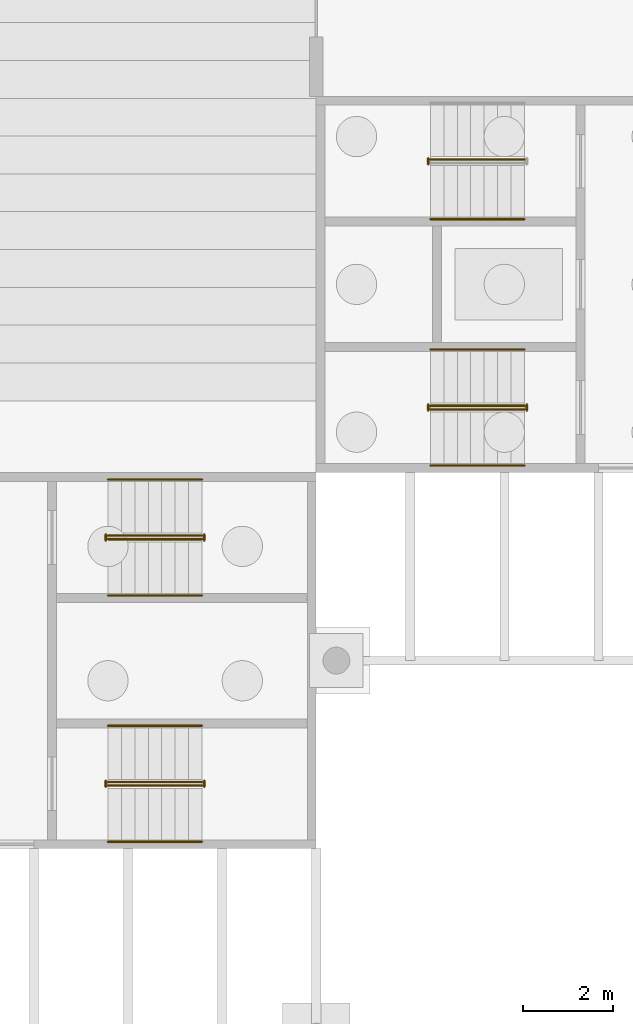
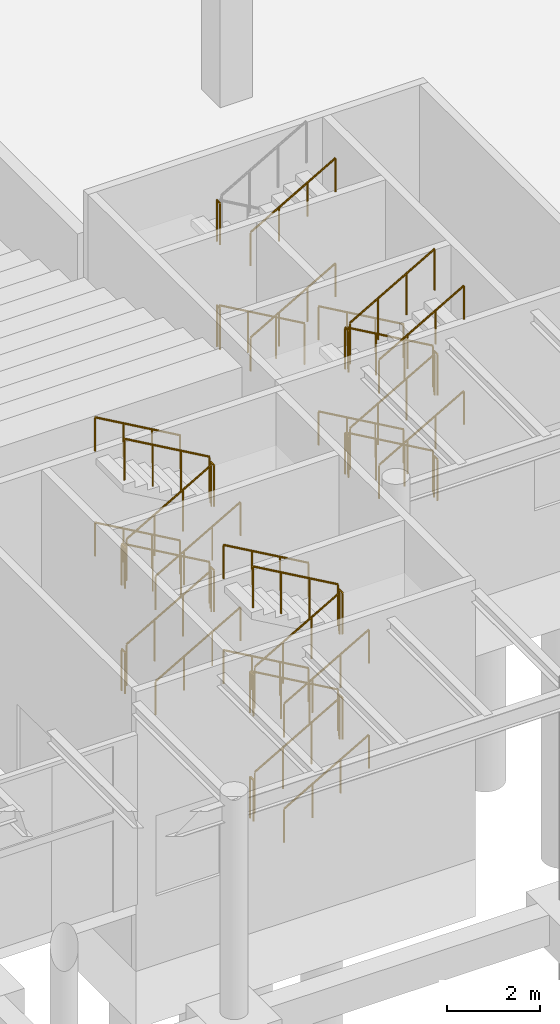
# One storey, part 64 of 82: 41 railings.
"""IFC4 building model written with IfcOpenShell, lengths in metres."""

from ifc_helpers import new_model, si_unit, direction, frame, origin, origin_2d, place, context, subcontext, project, spatial, circle, extrude, material, type_object, element, save


model = new_model("IFC4")

# Units and contexts
model_context = context("Model", 3, precision=1e-05, world=origin(), true_north=direction((0.0, 1.0)))
body_context = subcontext(model_context, "Body", "Model", "MODEL_VIEW")
ifc_project = project(units=[si_unit("LENGTHUNIT", "METRE"), si_unit("AREAUNIT", "SQUARE_METRE"), si_unit("VOLUMEUNIT", "CUBIC_METRE"), si_unit("PLANEANGLEUNIT", "RADIAN"), si_unit("MASSUNIT", "GRAM", prefix="KILO")], contexts=[model_context])

# Site, building, storey
site_placement = place(None, origin())
site = spatial("IfcSite", under=ifc_project, at=site_placement, CompositionType="ELEMENT")
building_placement = place(site_placement, origin())
building = spatial("IfcBuilding", under=site, at=building_placement, Name="Almond Square Museum", CompositionType="ELEMENT")
storey_placement = place(building_placement, origin())
storey = spatial("IfcBuildingStorey", under=building, at=storey_placement, Name="L00", CompositionType="ELEMENT", Elevation=0.0)

# Railings
ifc_material_1 = material(Name="Stainless steel and laminated glass", Category="steel")
railing_type_1 = type_object("IfcRailingType", Name="Stair guard 1100 steel and glass", PredefinedType="GUARDRAIL", material=ifc_material_1)
railing_1_placement = place(storey_placement, frame((34.949951171875, 77.010009765625, 0.171875)))
element("IfcRailing", 1, at=railing_1_placement, inside=storey, type_object=railing_type_1, Name="L00 ST-15 stair guard 1", PredefinedType="GUARDRAIL", context=body_context, shape_type="SweptSolid", body=[
    extrude(circle(Radius=0.02392578125, at=origin_2d()), frame((0.0, 0.0, 1.076171875), z_axis=(0.867696358075, 0.0, 0.497094588769), x_axis=(0.0, 1.0, 0.0)), (0.0, 0.0, 1.0), 2.42041015625),
    extrude(circle(Radius=0.02099609375, at=origin_2d()), origin(), (0.0, 0.0, 1.0), 1.052001953125),
    extrude(circle(Radius=0.02099609375, at=origin_2d()), frame((0.699951171875, 0.0, 0.401123046875)), (0.0, 0.0, 1.0), 1.052001953125),
    extrude(circle(Radius=0.02099609375, at=origin_2d()), frame((1.400146484375, 0.0, 0.802001953125)), (0.0, 0.0, 1.0), 1.052001953125),
    extrude(circle(Radius=0.02099609375, at=origin_2d()), frame((2.10009765625, 0.0, 1.203125)), (0.0, 0.0, 1.0), 1.052001953125),
])
railing_2_placement = place(storey_placement, frame((37.10009765625, 76.97998046875, 1.375)))
element("IfcRailing", 2, at=railing_2_placement, inside=storey, type_object=railing_type_1, Name="L00 ST-15 stair guard 2", PredefinedType="GUARDRAIL", context=body_context, shape_type="SweptSolid", body=[
    extrude(circle(Radius=0.02392578125, at=origin_2d()), frame((0.0, 0.0, 1.076171875), z_axis=(0.0, 1.0, 0.0), x_axis=(-1.0, 0.0, 0.0)), (0.0, 0.0, 1.0), 0.14013671875),
    extrude(circle(Radius=0.02099609375, at=origin_2d()), origin(), (0.0, 0.0, 1.0), 1.052001953125),
    extrude(circle(Radius=0.02099609375, at=origin_2d()), frame((0.0, 0.14013671875, 0.0)), (0.0, 0.0, 1.0), 1.052001953125),
])
railing_3_placement = place(storey_placement, frame((37.050048828125, 77.090087890625, 1.546875)))
element("IfcRailing", 3, at=railing_3_placement, inside=storey, type_object=railing_type_1, Name="L00 ST-15 stair guard 3", PredefinedType="GUARDRAIL", context=body_context, shape_type="SweptSolid", body=[
    extrude(circle(Radius=0.02392578125, at=origin_2d()), frame((0.0, 0.0, 1.076171875), z_axis=(-0.867696358075, 0.0, 0.497094588769), x_axis=(0.0, -1.0, 0.0)), (0.0, 0.0, 1.0), 2.42041015625),
    extrude(circle(Radius=0.02099609375, at=origin_2d()), origin(), (0.0, 0.0, 1.0), 1.052001953125),
    extrude(circle(Radius=0.02099609375, at=origin_2d()), frame((-0.699951171875, 0.0, 0.401123046875)), (0.0, 0.0, 1.0), 1.052001953125),
    extrude(circle(Radius=0.02099609375, at=origin_2d()), frame((-1.400146484375, 0.0, 0.802001953125)), (0.0, 0.0, 1.0), 1.052001953125),
    extrude(circle(Radius=0.02099609375, at=origin_2d()), frame((-2.10009765625, 0.0, 1.203125)), (0.0, 0.0, 1.0), 1.052001953125),
])
railing_4_placement = place(storey_placement, frame((34.89990234375, 76.97998046875, 2.75)))
element("IfcRailing", 4, at=railing_4_placement, inside=storey, type_object=railing_type_1, Name="L00 ST-15 stair guard 4", PredefinedType="GUARDRAIL", context=body_context, shape_type="SweptSolid", body=[
    extrude(circle(Radius=0.02392578125, at=origin_2d()), frame((0.0, 0.0, 1.076171875), z_axis=(0.0, 1.0, 0.0), x_axis=(-1.0, 0.0, 0.0)), (0.0, 0.0, 1.0), 0.14013671875),
    extrude(circle(Radius=0.02099609375, at=origin_2d()), origin(), (0.0, 0.0, 1.0), 1.052001953125),
    extrude(circle(Radius=0.02099609375, at=origin_2d()), frame((0.0, 0.14013671875, 0.0)), (0.0, 0.0, 1.0), 1.052001953125),
])
railing_5_placement = place(storey_placement, frame((34.949951171875, 77.010009765625, 2.921875)))
element("IfcRailing", 5, at=railing_5_placement, inside=storey, type_object=railing_type_1, Name="L00 ST-15 stair guard 5", PredefinedType="GUARDRAIL", context=body_context, shape_type="SweptSolid", body=[
    extrude(circle(Radius=0.02392578125, at=origin_2d()), frame((0.0, 0.0, 1.076171875), z_axis=(0.867696358075, 0.0, 0.497094588769), x_axis=(0.0, 1.0, 0.0)), (0.0, 0.0, 1.0), 2.42041015625),
    extrude(circle(Radius=0.02099609375, at=origin_2d()), origin(), (0.0, 0.0, 1.0), 1.052001953125),
    extrude(circle(Radius=0.02099609375, at=origin_2d()), frame((0.699951171875, 0.0, 0.401123046875)), (0.0, 0.0, 1.0), 1.052001953125),
    extrude(circle(Radius=0.02099609375, at=origin_2d()), frame((1.400146484375, 0.0, 0.802001953125)), (0.0, 0.0, 1.0), 1.052001953125),
    extrude(circle(Radius=0.02099609375, at=origin_2d()), frame((2.10009765625, 0.0, 1.203125)), (0.0, 0.0, 1.0), 1.052001953125),
])
railing_6_placement = place(storey_placement, frame((37.10009765625, 76.97998046875, 4.125)))
element("IfcRailing", 6, at=railing_6_placement, inside=storey, type_object=railing_type_1, Name="L00 ST-15 stair guard 6", PredefinedType="GUARDRAIL", context=body_context, shape_type="SweptSolid", body=[
    extrude(circle(Radius=0.02392578125, at=origin_2d()), frame((0.0, 0.0, 1.076171875), z_axis=(0.0, 1.0, 0.0), x_axis=(-1.0, 0.0, 0.0)), (0.0, 0.0, 1.0), 0.14013671875),
    extrude(circle(Radius=0.02099609375, at=origin_2d()), origin(), (0.0, 0.0, 1.0), 1.052001953125),
    extrude(circle(Radius=0.02099609375, at=origin_2d()), frame((0.0, 0.14013671875, 0.0)), (0.0, 0.0, 1.0), 1.052001953125),
])
railing_7_placement = place(storey_placement, frame((37.050048828125, 77.090087890625, 4.296875)))
element("IfcRailing", 7, at=railing_7_placement, inside=storey, type_object=railing_type_1, Name="L00 ST-15 stair guard 7", PredefinedType="GUARDRAIL", context=body_context, shape_type="SweptSolid", body=[
    extrude(circle(Radius=0.02392578125, at=origin_2d()), frame((0.0, 0.0, 1.076171875), z_axis=(-0.867696358075, 0.0, 0.497094588769), x_axis=(0.0, -1.0, 0.0)), (0.0, 0.0, 1.0), 2.42041015625),
    extrude(circle(Radius=0.02099609375, at=origin_2d()), origin(), (0.0, 0.0, 1.0), 1.052001953125),
    extrude(circle(Radius=0.02099609375, at=origin_2d()), frame((-0.699951171875, 0.0, 0.401123046875)), (0.0, 0.0, 1.0), 1.052001953125),
    extrude(circle(Radius=0.02099609375, at=origin_2d()), frame((-1.400146484375, 0.0, 0.802001953125)), (0.0, 0.0, 1.0), 1.052001953125),
    extrude(circle(Radius=0.02099609375, at=origin_2d()), frame((-2.10009765625, 0.0, 1.203125)), (0.0, 0.0, 1.0), 1.052001953125),
])
railing_8_placement = place(storey_placement, frame((34.89990234375, 76.97998046875, 0.0)))
element("IfcRailing", 8, at=railing_8_placement, inside=storey, type_object=railing_type_1, Name="L00 ST-15 stair guard 8", PredefinedType="GUARDRAIL", context=body_context, shape_type="SweptSolid", body=[
    extrude(circle(Radius=0.02392578125, at=origin_2d()), frame((0.0, 0.0, 1.076171875), z_axis=(0.0, 1.0, 0.0), x_axis=(-1.0, 0.0, 0.0)), (0.0, 0.0, 1.0), 0.14013671875),
    extrude(circle(Radius=0.02099609375, at=origin_2d()), origin(), (0.0, 0.0, 1.0), 1.052001953125),
    extrude(circle(Radius=0.02099609375, at=origin_2d()), frame((0.0, 0.14013671875, 0.0)), (0.0, 0.0, 1.0), 1.052001953125),
])
railing_9_placement = place(storey_placement, frame((34.949951171875, 82.510009765625, 0.171875)))
element("IfcRailing", 9, at=railing_9_placement, inside=storey, type_object=railing_type_1, Name="L00 ST-16 stair guard 1", PredefinedType="GUARDRAIL", context=body_context, shape_type="SweptSolid", body=[
    extrude(circle(Radius=0.02392578125, at=origin_2d()), frame((0.0, 0.0, 1.076171875), z_axis=(0.867696358075, 0.0, 0.497094588769), x_axis=(0.0, 1.0, 0.0)), (0.0, 0.0, 1.0), 2.42041015625),
    extrude(circle(Radius=0.02099609375, at=origin_2d()), origin(), (0.0, 0.0, 1.0), 1.052001953125),
    extrude(circle(Radius=0.02099609375, at=origin_2d()), frame((0.699951171875, 0.0, 0.401123046875)), (0.0, 0.0, 1.0), 1.052001953125),
    extrude(circle(Radius=0.02099609375, at=origin_2d()), frame((1.400146484375, 0.0, 0.802001953125)), (0.0, 0.0, 1.0), 1.052001953125),
    extrude(circle(Radius=0.02099609375, at=origin_2d()), frame((2.10009765625, 0.0, 1.203125)), (0.0, 0.0, 1.0), 1.052001953125),
])
railing_10_placement = place(storey_placement, frame((37.10009765625, 82.47998046875, 1.375)))
element("IfcRailing", 10, at=railing_10_placement, inside=storey, type_object=railing_type_1, Name="L00 ST-16 stair guard 2", PredefinedType="GUARDRAIL", context=body_context, shape_type="SweptSolid", body=[
    extrude(circle(Radius=0.02392578125, at=origin_2d()), frame((0.0, 0.0, 1.076171875), z_axis=(0.0, 1.0, 0.0), x_axis=(-1.0, 0.0, 0.0)), (0.0, 0.0, 1.0), 0.14013671875),
    extrude(circle(Radius=0.02099609375, at=origin_2d()), origin(), (0.0, 0.0, 1.0), 1.052001953125),
    extrude(circle(Radius=0.02099609375, at=origin_2d()), frame((0.0, 0.14013671875, 0.0)), (0.0, 0.0, 1.0), 1.052001953125),
])
railing_11_placement = place(storey_placement, frame((37.050048828125, 82.590087890625, 1.546875)))
element("IfcRailing", 11, at=railing_11_placement, inside=storey, type_object=railing_type_1, Name="L00 ST-16 stair guard 3", PredefinedType="GUARDRAIL", context=body_context, shape_type="SweptSolid", body=[
    extrude(circle(Radius=0.02392578125, at=origin_2d()), frame((0.0, 0.0, 1.076171875), z_axis=(-0.867696358075, 0.0, 0.497094588769), x_axis=(0.0, -1.0, 0.0)), (0.0, 0.0, 1.0), 2.42041015625),
    extrude(circle(Radius=0.02099609375, at=origin_2d()), origin(), (0.0, 0.0, 1.0), 1.052001953125),
    extrude(circle(Radius=0.02099609375, at=origin_2d()), frame((-0.699951171875, 0.0, 0.401123046875)), (0.0, 0.0, 1.0), 1.052001953125),
    extrude(circle(Radius=0.02099609375, at=origin_2d()), frame((-1.400146484375, 0.0, 0.802001953125)), (0.0, 0.0, 1.0), 1.052001953125),
    extrude(circle(Radius=0.02099609375, at=origin_2d()), frame((-2.10009765625, 0.0, 1.203125)), (0.0, 0.0, 1.0), 1.052001953125),
])
railing_12_placement = place(storey_placement, frame((34.89990234375, 82.47998046875, 2.75)))
element("IfcRailing", 12, at=railing_12_placement, inside=storey, type_object=railing_type_1, Name="L00 ST-16 stair guard 4", PredefinedType="GUARDRAIL", context=body_context, shape_type="SweptSolid", body=[
    extrude(circle(Radius=0.02392578125, at=origin_2d()), frame((0.0, 0.0, 1.076171875), z_axis=(0.0, 1.0, 0.0), x_axis=(-1.0, 0.0, 0.0)), (0.0, 0.0, 1.0), 0.14013671875),
    extrude(circle(Radius=0.02099609375, at=origin_2d()), origin(), (0.0, 0.0, 1.0), 1.052001953125),
    extrude(circle(Radius=0.02099609375, at=origin_2d()), frame((0.0, 0.14013671875, 0.0)), (0.0, 0.0, 1.0), 1.052001953125),
])
railing_13_placement = place(storey_placement, frame((34.949951171875, 82.510009765625, 2.921875)))
element("IfcRailing", 13, at=railing_13_placement, inside=storey, type_object=railing_type_1, Name="L00 ST-16 stair guard 5", PredefinedType="GUARDRAIL", context=body_context, shape_type="SweptSolid", body=[
    extrude(circle(Radius=0.02392578125, at=origin_2d()), frame((0.0, 0.0, 1.076171875), z_axis=(0.867696358075, 0.0, 0.497094588769), x_axis=(0.0, 1.0, 0.0)), (0.0, 0.0, 1.0), 2.42041015625),
    extrude(circle(Radius=0.02099609375, at=origin_2d()), origin(), (0.0, 0.0, 1.0), 1.052001953125),
    extrude(circle(Radius=0.02099609375, at=origin_2d()), frame((0.699951171875, 0.0, 0.401123046875)), (0.0, 0.0, 1.0), 1.052001953125),
    extrude(circle(Radius=0.02099609375, at=origin_2d()), frame((1.400146484375, 0.0, 0.802001953125)), (0.0, 0.0, 1.0), 1.052001953125),
    extrude(circle(Radius=0.02099609375, at=origin_2d()), frame((2.10009765625, 0.0, 1.203125)), (0.0, 0.0, 1.0), 1.052001953125),
])
railing_14_placement = place(storey_placement, frame((37.10009765625, 82.47998046875, 4.125)))
element("IfcRailing", 14, at=railing_14_placement, inside=storey, type_object=railing_type_1, Name="L00 ST-16 stair guard 6", PredefinedType="GUARDRAIL", context=body_context, shape_type="SweptSolid", body=[
    extrude(circle(Radius=0.02392578125, at=origin_2d()), frame((0.0, 0.0, 1.076171875), z_axis=(0.0, 1.0, 0.0), x_axis=(-1.0, 0.0, 0.0)), (0.0, 0.0, 1.0), 0.14013671875),
    extrude(circle(Radius=0.02099609375, at=origin_2d()), origin(), (0.0, 0.0, 1.0), 1.052001953125),
    extrude(circle(Radius=0.02099609375, at=origin_2d()), frame((0.0, 0.14013671875, 0.0)), (0.0, 0.0, 1.0), 1.052001953125),
])
railing_15_placement = place(storey_placement, frame((37.050048828125, 82.590087890625, 4.296875)))
element("IfcRailing", 15, at=railing_15_placement, inside=storey, type_object=railing_type_1, Name="L00 ST-16 stair guard 7", PredefinedType="GUARDRAIL", context=body_context, shape_type="SweptSolid", body=[
    extrude(circle(Radius=0.02392578125, at=origin_2d()), frame((0.0, 0.0, 1.076171875), z_axis=(-0.867696358075, 0.0, 0.497094588769), x_axis=(0.0, -1.0, 0.0)), (0.0, 0.0, 1.0), 2.42041015625),
    extrude(circle(Radius=0.02099609375, at=origin_2d()), origin(), (0.0, 0.0, 1.0), 1.052001953125),
    extrude(circle(Radius=0.02099609375, at=origin_2d()), frame((-0.699951171875, 0.0, 0.401123046875)), (0.0, 0.0, 1.0), 1.052001953125),
    extrude(circle(Radius=0.02099609375, at=origin_2d()), frame((-1.400146484375, 0.0, 0.802001953125)), (0.0, 0.0, 1.0), 1.052001953125),
    extrude(circle(Radius=0.02099609375, at=origin_2d()), frame((-2.10009765625, 0.0, 1.203125)), (0.0, 0.0, 1.0), 1.052001953125),
])
railing_16_placement = place(storey_placement, frame((34.89990234375, 82.47998046875, 0.0)))
element("IfcRailing", 16, at=railing_16_placement, inside=storey, type_object=railing_type_1, Name="L00 ST-16 stair guard 8", PredefinedType="GUARDRAIL", context=body_context, shape_type="SweptSolid", body=[
    extrude(circle(Radius=0.02392578125, at=origin_2d()), frame((0.0, 0.0, 1.076171875), z_axis=(0.0, 1.0, 0.0), x_axis=(-1.0, 0.0, 0.0)), (0.0, 0.0, 1.0), 0.14013671875),
    extrude(circle(Radius=0.02099609375, at=origin_2d()), origin(), (0.0, 0.0, 1.0), 1.052001953125),
    extrude(circle(Radius=0.02099609375, at=origin_2d()), frame((0.0, 0.14013671875, 0.0)), (0.0, 0.0, 1.0), 1.052001953125),
])
railing_17_placement = place(storey_placement, frame((44.25, 85.489990234375, 0.171875)))
element("IfcRailing", 17, at=railing_17_placement, inside=storey, type_object=railing_type_1, Name="L00 ST-17 stair guard 1", PredefinedType="GUARDRAIL", context=body_context, shape_type="SweptSolid", body=[
    extrude(circle(Radius=0.02392578125, at=origin_2d()), frame((0.0, 0.0, 1.076171875), z_axis=(-0.867696358075, 0.0, 0.497094588769), x_axis=(0.0, -1.0, 0.0)), (0.0, 0.0, 1.0), 2.42041015625),
    extrude(circle(Radius=0.02099609375, at=origin_2d()), origin(), (0.0, 0.0, 1.0), 1.052001953125),
    extrude(circle(Radius=0.02099609375, at=origin_2d()), frame((-0.699951171875, 0.0, 0.401123046875)), (0.0, 0.0, 1.0), 1.052001953125),
    extrude(circle(Radius=0.02099609375, at=origin_2d()), frame((-1.400146484375, 0.0, 0.802001953125)), (0.0, 0.0, 1.0), 1.052001953125),
    extrude(circle(Radius=0.02099609375, at=origin_2d()), frame((-2.10009765625, 0.0, 1.203125)), (0.0, 0.0, 1.0), 1.052001953125),
])
railing_18_placement = place(storey_placement, frame((42.10009765625, 85.52001953125, 1.375)))
element("IfcRailing", 18, at=railing_18_placement, inside=storey, type_object=railing_type_1, Name="L00 ST-17 stair guard 2", PredefinedType="GUARDRAIL", context=body_context, shape_type="SweptSolid", body=[
    extrude(circle(Radius=0.02392578125, at=origin_2d()), frame((0.0, 0.0, 1.076171875), z_axis=(0.0, -1.0, 0.0), x_axis=(1.0, 0.0, 0.0)), (0.0, 0.0, 1.0), 0.14013671875),
    extrude(circle(Radius=0.02099609375, at=origin_2d()), origin(), (0.0, 0.0, 1.0), 1.052001953125),
    extrude(circle(Radius=0.02099609375, at=origin_2d()), frame((0.0, -0.14013671875, 0.0)), (0.0, 0.0, 1.0), 1.052001953125),
])
railing_19_placement = place(storey_placement, frame((42.14990234375, 85.409912109375, 1.546875)))
element("IfcRailing", 19, at=railing_19_placement, inside=storey, type_object=railing_type_1, Name="L00 ST-17 stair guard 3", PredefinedType="GUARDRAIL", context=body_context, shape_type="SweptSolid", body=[
    extrude(circle(Radius=0.02392578125, at=origin_2d()), frame((0.0, 0.0, 1.076171875), z_axis=(0.867696358075, 0.0, 0.497094588769), x_axis=(0.0, 1.0, 0.0)), (0.0, 0.0, 1.0), 2.42041015625),
    extrude(circle(Radius=0.02099609375, at=origin_2d()), origin(), (0.0, 0.0, 1.0), 1.052001953125),
    extrude(circle(Radius=0.02099609375, at=origin_2d()), frame((0.699951171875, 0.0, 0.401123046875)), (0.0, 0.0, 1.0), 1.052001953125),
    extrude(circle(Radius=0.02099609375, at=origin_2d()), frame((1.400146484375, 0.0, 0.802001953125)), (0.0, 0.0, 1.0), 1.052001953125),
    extrude(circle(Radius=0.02099609375, at=origin_2d()), frame((2.10009765625, 0.0, 1.203125)), (0.0, 0.0, 1.0), 1.052001953125),
])
railing_20_placement = place(storey_placement, frame((44.300048828125, 85.52001953125, 2.75)))
element("IfcRailing", 20, at=railing_20_placement, inside=storey, type_object=railing_type_1, Name="L00 ST-17 stair guard 4", PredefinedType="GUARDRAIL", context=body_context, shape_type="SweptSolid", body=[
    extrude(circle(Radius=0.02392578125, at=origin_2d()), frame((0.0, 0.0, 1.076171875), z_axis=(0.0, -1.0, 0.0), x_axis=(1.0, 0.0, 0.0)), (0.0, 0.0, 1.0), 0.14013671875),
    extrude(circle(Radius=0.02099609375, at=origin_2d()), origin(), (0.0, 0.0, 1.0), 1.052001953125),
    extrude(circle(Radius=0.02099609375, at=origin_2d()), frame((0.0, -0.14013671875, 0.0)), (0.0, 0.0, 1.0), 1.052001953125),
])
railing_21_placement = place(storey_placement, frame((44.25, 85.489990234375, 2.921875)))
element("IfcRailing", 21, at=railing_21_placement, inside=storey, type_object=railing_type_1, Name="L00 ST-17 stair guard 5", PredefinedType="GUARDRAIL", context=body_context, shape_type="SweptSolid", body=[
    extrude(circle(Radius=0.02392578125, at=origin_2d()), frame((0.0, 0.0, 1.076171875), z_axis=(-0.867696358075, 0.0, 0.497094588769), x_axis=(0.0, -1.0, 0.0)), (0.0, 0.0, 1.0), 2.42041015625),
    extrude(circle(Radius=0.02099609375, at=origin_2d()), origin(), (0.0, 0.0, 1.0), 1.052001953125),
    extrude(circle(Radius=0.02099609375, at=origin_2d()), frame((-0.699951171875, 0.0, 0.401123046875)), (0.0, 0.0, 1.0), 1.052001953125),
    extrude(circle(Radius=0.02099609375, at=origin_2d()), frame((-1.400146484375, 0.0, 0.802001953125)), (0.0, 0.0, 1.0), 1.052001953125),
    extrude(circle(Radius=0.02099609375, at=origin_2d()), frame((-2.10009765625, 0.0, 1.203125)), (0.0, 0.0, 1.0), 1.052001953125),
])
railing_22_placement = place(storey_placement, frame((42.10009765625, 85.52001953125, 4.125)))
element("IfcRailing", 22, at=railing_22_placement, inside=storey, type_object=railing_type_1, Name="L00 ST-17 stair guard 6", PredefinedType="GUARDRAIL", context=body_context, shape_type="SweptSolid", body=[
    extrude(circle(Radius=0.02392578125, at=origin_2d()), frame((0.0, 0.0, 1.076171875), z_axis=(0.0, -1.0, 0.0), x_axis=(1.0, 0.0, 0.0)), (0.0, 0.0, 1.0), 0.14013671875),
    extrude(circle(Radius=0.02099609375, at=origin_2d()), origin(), (0.0, 0.0, 1.0), 1.052001953125),
    extrude(circle(Radius=0.02099609375, at=origin_2d()), frame((0.0, -0.14013671875, 0.0)), (0.0, 0.0, 1.0), 1.052001953125),
])
railing_23_placement = place(storey_placement, frame((42.14990234375, 85.409912109375, 4.296875)))
element("IfcRailing", 23, at=railing_23_placement, inside=storey, type_object=railing_type_1, Name="L00 ST-17 stair guard 7", PredefinedType="GUARDRAIL", context=body_context, shape_type="SweptSolid", body=[
    extrude(circle(Radius=0.02392578125, at=origin_2d()), frame((0.0, 0.0, 1.076171875), z_axis=(0.867696358075, 0.0, 0.497094588769), x_axis=(0.0, 1.0, 0.0)), (0.0, 0.0, 1.0), 2.42041015625),
    extrude(circle(Radius=0.02099609375, at=origin_2d()), origin(), (0.0, 0.0, 1.0), 1.052001953125),
    extrude(circle(Radius=0.02099609375, at=origin_2d()), frame((0.699951171875, 0.0, 0.401123046875)), (0.0, 0.0, 1.0), 1.052001953125),
    extrude(circle(Radius=0.02099609375, at=origin_2d()), frame((1.400146484375, 0.0, 0.802001953125)), (0.0, 0.0, 1.0), 1.052001953125),
    extrude(circle(Radius=0.02099609375, at=origin_2d()), frame((2.10009765625, 0.0, 1.203125)), (0.0, 0.0, 1.0), 1.052001953125),
])
railing_24_placement = place(storey_placement, frame((44.300048828125, 85.52001953125, 0.0)))
element("IfcRailing", 24, at=railing_24_placement, inside=storey, type_object=railing_type_1, Name="L00 ST-17 stair guard 8", PredefinedType="GUARDRAIL", context=body_context, shape_type="SweptSolid", body=[
    extrude(circle(Radius=0.02392578125, at=origin_2d()), frame((0.0, 0.0, 1.076171875), z_axis=(0.0, -1.0, 0.0), x_axis=(1.0, 0.0, 0.0)), (0.0, 0.0, 1.0), 0.14013671875),
    extrude(circle(Radius=0.02099609375, at=origin_2d()), origin(), (0.0, 0.0, 1.0), 1.052001953125),
    extrude(circle(Radius=0.02099609375, at=origin_2d()), frame((0.0, -0.14013671875, 0.0)), (0.0, 0.0, 1.0), 1.052001953125),
])
railing_25_placement = place(storey_placement, frame((44.25, 90.989990234375, 0.171875)))
element("IfcRailing", 25, at=railing_25_placement, inside=storey, type_object=railing_type_1, Name="L00 ST-18 stair guard 1", PredefinedType="GUARDRAIL", context=body_context, shape_type="SweptSolid", body=[
    extrude(circle(Radius=0.02392578125, at=origin_2d()), frame((0.0, 0.0, 1.076171875), z_axis=(-0.867696358075, 0.0, 0.497094588769), x_axis=(0.0, -1.0, 0.0)), (0.0, 0.0, 1.0), 2.42041015625),
    extrude(circle(Radius=0.02099609375, at=origin_2d()), origin(), (0.0, 0.0, 1.0), 1.052001953125),
    extrude(circle(Radius=0.02099609375, at=origin_2d()), frame((-0.699951171875, 0.0, 0.401123046875)), (0.0, 0.0, 1.0), 1.052001953125),
    extrude(circle(Radius=0.02099609375, at=origin_2d()), frame((-1.400146484375, 0.0, 0.802001953125)), (0.0, 0.0, 1.0), 1.052001953125),
    extrude(circle(Radius=0.02099609375, at=origin_2d()), frame((-2.10009765625, 0.0, 1.203125)), (0.0, 0.0, 1.0), 1.052001953125),
])
for number, where, name in (
    (26, (42.10009765625, 91.02001953125, 1.375), "L00 ST-18 stair guard 2"),
    (27, (42.10009765625, 91.02001953125, 4.125), "L00 ST-18 stair guard 6"),
):
    element("IfcRailing", number, at=place(storey_placement, frame(where)), inside=storey, type_object=railing_type_1, Name=name, PredefinedType="GUARDRAIL", context=body_context, shape_type="SweptSolid", body=[
        extrude(circle(Radius=0.02392578125, at=origin_2d()), frame((0.0, 0.0, 1.076171875), z_axis=(0.0, -1.0, 0.0), x_axis=(1.0, 0.0, 0.0)), (0.0, 0.0, 1.0), 0.14013671875),
        extrude(circle(Radius=0.02099609375, at=origin_2d()), origin(), (0.0, 0.0, 1.0), 1.052001953125),
        extrude(circle(Radius=0.02099609375, at=origin_2d()), frame((0.0, -0.14013671875, 0.0)), (0.0, 0.0, 1.0), 1.052001953125),
    ])
ifc_material_2 = material(Name="Stainless steel", Category="steel")
railing_type_2 = type_object("IfcRailingType", Name="Stair handrail 900 steel", PredefinedType="HANDRAIL", material=ifc_material_2)
railing_26_placement = place(storey_placement, frame((34.949951171875, 75.7548828125, 0.171875)))
element("IfcRailing", 28, at=railing_26_placement, inside=storey, type_object=railing_type_2, Name="L00 ST-15 stair handrail 1", PredefinedType="HANDRAIL", context=body_context, shape_type="SweptSolid", body=[
    extrude(circle(Radius=0.02392578125, at=origin_2d()), frame((0.0, 0.0, 0.8759765625), z_axis=(0.867696358075, 0.0, 0.497094588769), x_axis=(0.0, 1.0, 0.0)), (0.0, 0.0, 1.0), 2.42041015625),
    extrude(circle(Radius=0.02099609375, at=origin_2d()), origin(), (0.0, 0.0, 1.0), 0.851806640625),
    extrude(circle(Radius=0.02099609375, at=origin_2d()), frame((0.699951171875, 0.0, 0.401123046875)), (0.0, 0.0, 1.0), 0.851806640625),
    extrude(circle(Radius=0.02099609375, at=origin_2d()), frame((1.400146484375, 0.0, 0.802001953125)), (0.0, 0.0, 1.0), 0.851806640625),
    extrude(circle(Radius=0.02099609375, at=origin_2d()), frame((2.10009765625, 0.0, 1.203125)), (0.0, 0.0, 1.0), 0.851806640625),
])
railing_27_placement = place(storey_placement, frame((37.050048828125, 78.344970703125, 1.546875)))
element("IfcRailing", 29, at=railing_27_placement, inside=storey, type_object=railing_type_2, Name="L00 ST-15 stair handrail 2", PredefinedType="HANDRAIL", context=body_context, shape_type="SweptSolid", body=[
    extrude(circle(Radius=0.02392578125, at=origin_2d()), frame((0.0, 0.0, 0.8759765625), z_axis=(-0.867696358075, 0.0, 0.497094588769), x_axis=(0.0, -1.0, 0.0)), (0.0, 0.0, 1.0), 2.42041015625),
    extrude(circle(Radius=0.02099609375, at=origin_2d()), origin(), (0.0, 0.0, 1.0), 0.851806640625),
    extrude(circle(Radius=0.02099609375, at=origin_2d()), frame((-0.699951171875, 0.0, 0.401123046875)), (0.0, 0.0, 1.0), 0.851806640625),
    extrude(circle(Radius=0.02099609375, at=origin_2d()), frame((-1.400146484375, 0.0, 0.802001953125)), (0.0, 0.0, 1.0), 0.851806640625),
    extrude(circle(Radius=0.02099609375, at=origin_2d()), frame((-2.10009765625, 0.0, 1.203125)), (0.0, 0.0, 1.0), 0.851806640625),
])
railing_28_placement = place(storey_placement, frame((34.949951171875, 75.7548828125, 2.921875)))
element("IfcRailing", 30, at=railing_28_placement, inside=storey, type_object=railing_type_2, Name="L00 ST-15 stair handrail 3", PredefinedType="HANDRAIL", context=body_context, shape_type="SweptSolid", body=[
    extrude(circle(Radius=0.02392578125, at=origin_2d()), frame((0.0, 0.0, 0.8759765625), z_axis=(0.867696358075, 0.0, 0.497094588769), x_axis=(0.0, 1.0, 0.0)), (0.0, 0.0, 1.0), 2.42041015625),
    extrude(circle(Radius=0.02099609375, at=origin_2d()), origin(), (0.0, 0.0, 1.0), 0.851806640625),
    extrude(circle(Radius=0.02099609375, at=origin_2d()), frame((0.699951171875, 0.0, 0.401123046875)), (0.0, 0.0, 1.0), 0.851806640625),
    extrude(circle(Radius=0.02099609375, at=origin_2d()), frame((1.400146484375, 0.0, 0.802001953125)), (0.0, 0.0, 1.0), 0.851806640625),
    extrude(circle(Radius=0.02099609375, at=origin_2d()), frame((2.10009765625, 0.0, 1.203125)), (0.0, 0.0, 1.0), 0.851806640625),
])
railing_29_placement = place(storey_placement, frame((37.050048828125, 78.344970703125, 4.296875)))
element("IfcRailing", 31, at=railing_29_placement, inside=storey, type_object=railing_type_2, Name="L00 ST-15 stair handrail 4", PredefinedType="HANDRAIL", context=body_context, shape_type="SweptSolid", body=[
    extrude(circle(Radius=0.02392578125, at=origin_2d()), frame((0.0, 0.0, 0.8759765625), z_axis=(-0.867696358075, 0.0, 0.497094588769), x_axis=(0.0, -1.0, 0.0)), (0.0, 0.0, 1.0), 2.42041015625),
    extrude(circle(Radius=0.02099609375, at=origin_2d()), origin(), (0.0, 0.0, 1.0), 0.851806640625),
    extrude(circle(Radius=0.02099609375, at=origin_2d()), frame((-0.699951171875, 0.0, 0.401123046875)), (0.0, 0.0, 1.0), 0.851806640625),
    extrude(circle(Radius=0.02099609375, at=origin_2d()), frame((-1.400146484375, 0.0, 0.802001953125)), (0.0, 0.0, 1.0), 0.851806640625),
    extrude(circle(Radius=0.02099609375, at=origin_2d()), frame((-2.10009765625, 0.0, 1.203125)), (0.0, 0.0, 1.0), 0.851806640625),
])
railing_30_placement = place(storey_placement, frame((34.949951171875, 81.2548828125, 0.171875)))
element("IfcRailing", 32, at=railing_30_placement, inside=storey, type_object=railing_type_2, Name="L00 ST-16 stair handrail 1", PredefinedType="HANDRAIL", context=body_context, shape_type="SweptSolid", body=[
    extrude(circle(Radius=0.02392578125, at=origin_2d()), frame((0.0, 0.0, 0.8759765625), z_axis=(0.867696358075, 0.0, 0.497094588769), x_axis=(0.0, 1.0, 0.0)), (0.0, 0.0, 1.0), 2.42041015625),
    extrude(circle(Radius=0.02099609375, at=origin_2d()), origin(), (0.0, 0.0, 1.0), 0.851806640625),
    extrude(circle(Radius=0.02099609375, at=origin_2d()), frame((0.699951171875, 0.0, 0.401123046875)), (0.0, 0.0, 1.0), 0.851806640625),
    extrude(circle(Radius=0.02099609375, at=origin_2d()), frame((1.400146484375, 0.0, 0.802001953125)), (0.0, 0.0, 1.0), 0.851806640625),
    extrude(circle(Radius=0.02099609375, at=origin_2d()), frame((2.10009765625, 0.0, 1.203125)), (0.0, 0.0, 1.0), 0.851806640625),
])
railing_31_placement = place(storey_placement, frame((37.050048828125, 83.844970703125, 1.546875)))
element("IfcRailing", 33, at=railing_31_placement, inside=storey, type_object=railing_type_2, Name="L00 ST-16 stair handrail 2", PredefinedType="HANDRAIL", context=body_context, shape_type="SweptSolid", body=[
    extrude(circle(Radius=0.02392578125, at=origin_2d()), frame((0.0, 0.0, 0.8759765625), z_axis=(-0.867696358075, 0.0, 0.497094588769), x_axis=(0.0, -1.0, 0.0)), (0.0, 0.0, 1.0), 2.42041015625),
    extrude(circle(Radius=0.02099609375, at=origin_2d()), origin(), (0.0, 0.0, 1.0), 0.851806640625),
    extrude(circle(Radius=0.02099609375, at=origin_2d()), frame((-0.699951171875, 0.0, 0.401123046875)), (0.0, 0.0, 1.0), 0.851806640625),
    extrude(circle(Radius=0.02099609375, at=origin_2d()), frame((-1.400146484375, 0.0, 0.802001953125)), (0.0, 0.0, 1.0), 0.851806640625),
    extrude(circle(Radius=0.02099609375, at=origin_2d()), frame((-2.10009765625, 0.0, 1.203125)), (0.0, 0.0, 1.0), 0.851806640625),
])
railing_32_placement = place(storey_placement, frame((34.949951171875, 81.2548828125, 2.921875)))
element("IfcRailing", 34, at=railing_32_placement, inside=storey, type_object=railing_type_2, Name="L00 ST-16 stair handrail 3", PredefinedType="HANDRAIL", context=body_context, shape_type="SweptSolid", body=[
    extrude(circle(Radius=0.02392578125, at=origin_2d()), frame((0.0, 0.0, 0.8759765625), z_axis=(0.867696358075, 0.0, 0.497094588769), x_axis=(0.0, 1.0, 0.0)), (0.0, 0.0, 1.0), 2.42041015625),
    extrude(circle(Radius=0.02099609375, at=origin_2d()), origin(), (0.0, 0.0, 1.0), 0.851806640625),
    extrude(circle(Radius=0.02099609375, at=origin_2d()), frame((0.699951171875, 0.0, 0.401123046875)), (0.0, 0.0, 1.0), 0.851806640625),
    extrude(circle(Radius=0.02099609375, at=origin_2d()), frame((1.400146484375, 0.0, 0.802001953125)), (0.0, 0.0, 1.0), 0.851806640625),
    extrude(circle(Radius=0.02099609375, at=origin_2d()), frame((2.10009765625, 0.0, 1.203125)), (0.0, 0.0, 1.0), 0.851806640625),
])
for number, where, name in (
    (35, (37.050048828125, 83.844970703125, 4.296875), "L00 ST-16 stair handrail 4"),
    (36, (44.25, 86.7451171875, 0.171875), "L00 ST-17 stair handrail 1"),
):
    element("IfcRailing", number, at=place(storey_placement, frame(where)), inside=storey, type_object=railing_type_2, Name=name, PredefinedType="HANDRAIL", context=body_context, shape_type="SweptSolid", body=[
        extrude(circle(Radius=0.02392578125, at=origin_2d()), frame((0.0, 0.0, 0.8759765625), z_axis=(-0.867696358075, 0.0, 0.497094588769), x_axis=(0.0, -1.0, 0.0)), (0.0, 0.0, 1.0), 2.42041015625),
        extrude(circle(Radius=0.02099609375, at=origin_2d()), origin(), (0.0, 0.0, 1.0), 0.851806640625),
        extrude(circle(Radius=0.02099609375, at=origin_2d()), frame((-0.699951171875, 0.0, 0.401123046875)), (0.0, 0.0, 1.0), 0.851806640625),
        extrude(circle(Radius=0.02099609375, at=origin_2d()), frame((-1.400146484375, 0.0, 0.802001953125)), (0.0, 0.0, 1.0), 0.851806640625),
        extrude(circle(Radius=0.02099609375, at=origin_2d()), frame((-2.10009765625, 0.0, 1.203125)), (0.0, 0.0, 1.0), 0.851806640625),
    ])
railing_33_placement = place(storey_placement, frame((42.14990234375, 84.155029296875, 1.546875)))
element("IfcRailing", 37, at=railing_33_placement, inside=storey, type_object=railing_type_2, Name="L00 ST-17 stair handrail 2", PredefinedType="HANDRAIL", context=body_context, shape_type="SweptSolid", body=[
    extrude(circle(Radius=0.02392578125, at=origin_2d()), frame((0.0, 0.0, 0.8759765625), z_axis=(0.867696358075, 0.0, 0.497094588769), x_axis=(0.0, 1.0, 0.0)), (0.0, 0.0, 1.0), 2.42041015625),
    extrude(circle(Radius=0.02099609375, at=origin_2d()), origin(), (0.0, 0.0, 1.0), 0.851806640625),
    extrude(circle(Radius=0.02099609375, at=origin_2d()), frame((0.699951171875, 0.0, 0.401123046875)), (0.0, 0.0, 1.0), 0.851806640625),
    extrude(circle(Radius=0.02099609375, at=origin_2d()), frame((1.400146484375, 0.0, 0.802001953125)), (0.0, 0.0, 1.0), 0.851806640625),
    extrude(circle(Radius=0.02099609375, at=origin_2d()), frame((2.10009765625, 0.0, 1.203125)), (0.0, 0.0, 1.0), 0.851806640625),
])
railing_34_placement = place(storey_placement, frame((44.25, 86.7451171875, 2.921875)))
element("IfcRailing", 38, at=railing_34_placement, inside=storey, type_object=railing_type_2, Name="L00 ST-17 stair handrail 3", PredefinedType="HANDRAIL", context=body_context, shape_type="SweptSolid", body=[
    extrude(circle(Radius=0.02392578125, at=origin_2d()), frame((0.0, 0.0, 0.8759765625), z_axis=(-0.867696358075, 0.0, 0.497094588769), x_axis=(0.0, -1.0, 0.0)), (0.0, 0.0, 1.0), 2.42041015625),
    extrude(circle(Radius=0.02099609375, at=origin_2d()), origin(), (0.0, 0.0, 1.0), 0.851806640625),
    extrude(circle(Radius=0.02099609375, at=origin_2d()), frame((-0.699951171875, 0.0, 0.401123046875)), (0.0, 0.0, 1.0), 0.851806640625),
    extrude(circle(Radius=0.02099609375, at=origin_2d()), frame((-1.400146484375, 0.0, 0.802001953125)), (0.0, 0.0, 1.0), 0.851806640625),
    extrude(circle(Radius=0.02099609375, at=origin_2d()), frame((-2.10009765625, 0.0, 1.203125)), (0.0, 0.0, 1.0), 0.851806640625),
])
for number, where, name in (
    (39, (42.14990234375, 84.155029296875, 4.296875), "L00 ST-17 stair handrail 4"),
    (40, (42.14990234375, 89.655029296875, 1.546875), "L00 ST-18 stair handrail 2"),
    (41, (42.14990234375, 89.655029296875, 4.296875), "L00 ST-18 stair handrail 4"),
):
    element("IfcRailing", number, at=place(storey_placement, frame(where)), inside=storey, type_object=railing_type_2, Name=name, PredefinedType="HANDRAIL", context=body_context, shape_type="SweptSolid", body=[
        extrude(circle(Radius=0.02392578125, at=origin_2d()), frame((0.0, 0.0, 0.8759765625), z_axis=(0.867696358075, 0.0, 0.497094588769), x_axis=(0.0, 1.0, 0.0)), (0.0, 0.0, 1.0), 2.42041015625),
        extrude(circle(Radius=0.02099609375, at=origin_2d()), origin(), (0.0, 0.0, 1.0), 0.851806640625),
        extrude(circle(Radius=0.02099609375, at=origin_2d()), frame((0.699951171875, 0.0, 0.401123046875)), (0.0, 0.0, 1.0), 0.851806640625),
        extrude(circle(Radius=0.02099609375, at=origin_2d()), frame((1.400146484375, 0.0, 0.802001953125)), (0.0, 0.0, 1.0), 0.851806640625),
        extrude(circle(Radius=0.02099609375, at=origin_2d()), frame((2.10009765625, 0.0, 1.203125)), (0.0, 0.0, 1.0), 0.851806640625),
    ])

save(model, "model.ifc")
